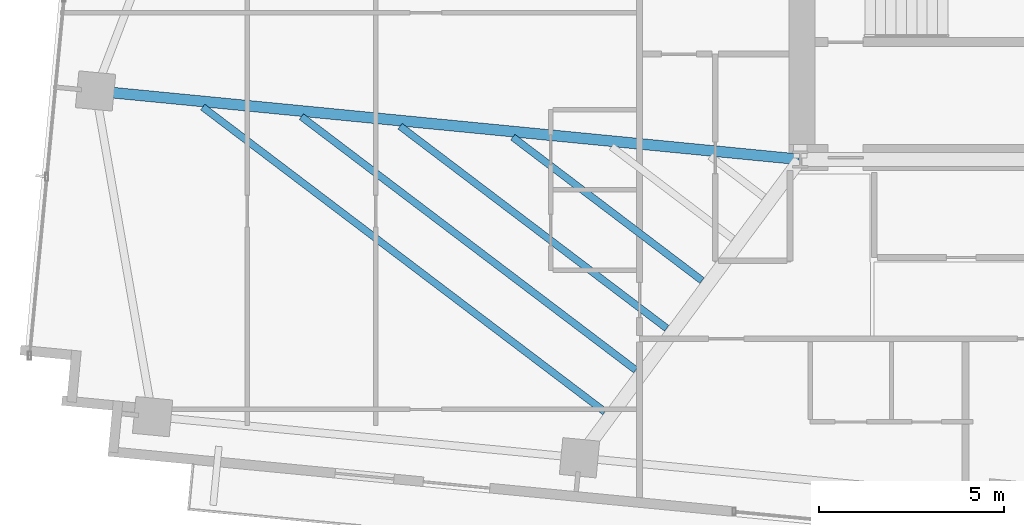
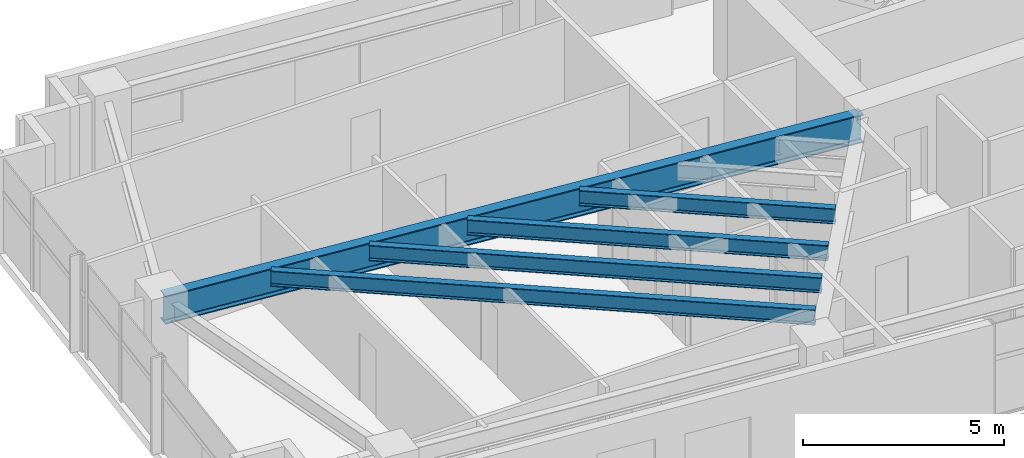
# One storey, part 3 of 19: 5 beams.
"""IFC4 building model written with IfcOpenShell, lengths in metres."""

from ifc_helpers import new_model, si_unit, direction, frame, origin, origin_2d, place, context, subcontext, project, spatial, i_section, extrude, source, transform, mapped, material, material_profile, profile_set, type_object, type_shapes, element, save


model = new_model("IFC4")

# Units and contexts
model_context = context("Model", 3, precision=1e-05, world=origin(), true_north=direction((0.0, 1.0)))
body_context = subcontext(model_context, "Body", "Model", "MODEL_VIEW")
ifc_project = project(units=[si_unit("LENGTHUNIT", "METRE"), si_unit("AREAUNIT", "SQUARE_METRE"), si_unit("VOLUMEUNIT", "CUBIC_METRE"), si_unit("PLANEANGLEUNIT", "RADIAN"), si_unit("MASSUNIT", "GRAM", prefix="KILO")], contexts=[model_context])

# Site, building, storey
site_placement = place(None, origin())
site = spatial("IfcSite", under=ifc_project, at=site_placement, CompositionType="ELEMENT")
building_placement = place(site_placement, origin())
building = spatial("IfcBuilding", under=site, at=building_placement, Name="Astriad Promenade Condominiums", CompositionType="ELEMENT")
storey_placement = place(building_placement, frame((0.0, 0.0, 150.199951171875)))
storey = spatial("IfcBuildingStorey", under=building, at=storey_placement, Name="L43", CompositionType="ELEMENT", Elevation=150.199951171875)

# Beams
ifc_material = material(Name="Steel ASTM A992 Grade 50", Category="steel")
ifc_material_profile_1 = material_profile(ifc_material, i_section(OverallWidth=0.2919921875, OverallDepth=0.85888671875, WebThickness=0.01708984375, FlangeThickness=0.031005859375, FilletRadius=0.02294921875, at=origin_2d()), Name="W33X169")
ifc_profile_set_1 = profile_set([ifc_material_profile_1], Name="Steel ASTM A992 Grade 50")
beam_type_1 = type_object("IfcBeamType", Name="STEEL PRIMARY GIRDER W33X169", PredefinedType="BEAM", material=ifc_profile_set_1)
shared_shape_1 = source(origin(), body_context, "Body", "SweptSolid", [
    extrude(i_section(OverallWidth=0.2919921875, OverallDepth=0.85888671875, WebThickness=0.01708984375, FlangeThickness=0.031005859375, FilletRadius=0.02294921875, at=origin_2d()), origin(), (0.0, 0.0, 1.0), 19.07177734375),
])
type_shapes(beam_type_1, [shared_shape_1])
beam_1_placement = place(storey_placement, frame((7.377685546875, 19.247802734375, 2.510498046875), z_axis=(0.995314830032, -0.096687068001, 0.0), x_axis=(0.096687068001, 0.995314830032, 0.0)))
element("IfcBeam", 1, at=beam_1_placement, inside=storey, type_object=beam_type_1, Name="Primary Floor Girder PG-WM-L43", PredefinedType="BEAM", context=body_context, shape_type="MappedRepresentation", body=[
    mapped(shared_shape_1, transform((0.0, 0.0, 0.0), scale=1.0)),
])
ifc_material_profile_2 = material_profile(ifc_material, i_section(OverallWidth=0.19287109375, OverallDepth=0.466064453125, WebThickness=0.011474609375, FlangeThickness=0.01904296875, FilletRadius=0.01513671875, at=origin_2d()), Name="W18X65")
ifc_profile_set_2 = profile_set([ifc_material_profile_2], Name="Steel ASTM A992 Grade 50")
beam_type_2 = type_object("IfcBeamType", Name="STEEL FLOOR JOIST W18X65", PredefinedType="JOIST", material=ifc_profile_set_2)
shared_shape_2 = source(origin(), body_context, "Body", "SweptSolid", [
    extrude(i_section(OverallWidth=0.19287109375, OverallDepth=0.466064453125, WebThickness=0.011474609375, FlangeThickness=0.01904296875, FilletRadius=0.01513671875, at=origin_2d()), origin(), (0.0, 0.0, 1.0), 13.64697265625),
])
beam_2_placement = place(storey_placement, frame((10.236572265625, 18.818115234375, 2.70703125), z_axis=(0.796973667543, -0.604014050534, 0.0), x_axis=(0.604014050534, 0.796973667543, 0.0)))
element("IfcBeam", 2, at=beam_2_placement, inside=storey, type_object=beam_type_2, Name="Secondary Composite Floor Joist JW1-1-L43", PredefinedType="JOIST", context=body_context, shape_type="MappedRepresentation", body=[
    mapped(shared_shape_2, transform((0.0, 0.0, 0.0), scale=1.0)),
])
shared_shape_3 = source(origin(), body_context, "Body", "SweptSolid", [
    extrude(i_section(OverallWidth=0.19287109375, OverallDepth=0.466064453125, WebThickness=0.011474609375, FlangeThickness=0.01904296875, FilletRadius=0.01513671875, at=origin_2d()), origin(), (0.0, 0.0, 1.0), 11.347412109375),
])
beam_3_placement = place(storey_placement, frame((12.9052734375, 18.558837890625, 2.70703125), z_axis=(0.796976964849, -0.60400969984, 0.0), x_axis=(0.60400969984, 0.796976964849, 0.0)))
element("IfcBeam", 3, at=beam_3_placement, inside=storey, type_object=beam_type_2, Name="Secondary Composite Floor Joist JW1-2-L43", PredefinedType="JOIST", context=body_context, shape_type="MappedRepresentation", body=[
    mapped(shared_shape_3, transform((0.0, 0.0, 0.0), scale=1.0)),
])
shared_shape_4 = source(origin(), body_context, "Body", "SweptSolid", [
    extrude(i_section(OverallWidth=0.19287109375, OverallDepth=0.466064453125, WebThickness=0.011474609375, FlangeThickness=0.01904296875, FilletRadius=0.01513671875, at=origin_2d()), origin(), (0.0, 0.0, 1.0), 9.048095703125),
])
beam_4_placement = place(storey_placement, frame((15.573974609375, 18.299560546875, 2.70703125), z_axis=(0.796981937997, -0.604003137829, 0.0), x_axis=(0.604003137829, 0.796981937997, 0.0)))
element("IfcBeam", 4, at=beam_4_placement, inside=storey, type_object=beam_type_2, Name="Secondary Composite Floor Joist JW1-3-L43", PredefinedType="JOIST", context=body_context, shape_type="MappedRepresentation", body=[
    mapped(shared_shape_4, transform((0.0, 0.0, 0.0), scale=1.0)),
])
shared_shape_5 = source(origin(), body_context, "Body", "SweptSolid", [
    extrude(i_section(OverallWidth=0.19287109375, OverallDepth=0.466064453125, WebThickness=0.011474609375, FlangeThickness=0.01904296875, FilletRadius=0.01513671875, at=origin_2d()), origin(), (0.0, 0.0, 1.0), 6.420654296875),
])
type_shapes(beam_type_2, [shared_shape_2, shared_shape_3, shared_shape_4, shared_shape_5])
beam_5_placement = place(storey_placement, frame((18.6240234375, 18.00341796875, 2.70703125), z_axis=(0.796964567146, -0.604026057976, 0.0), x_axis=(0.604026057976, 0.796964567146, 0.0)))
element("IfcBeam", 5, at=beam_5_placement, inside=storey, type_object=beam_type_2, Name="Secondary Composite Floor Joist JW1-4-L43", PredefinedType="JOIST", context=body_context, shape_type="MappedRepresentation", body=[
    mapped(shared_shape_5, transform((0.0, 0.0, 0.0), scale=1.0)),
])

save(model, "model.ifc")
